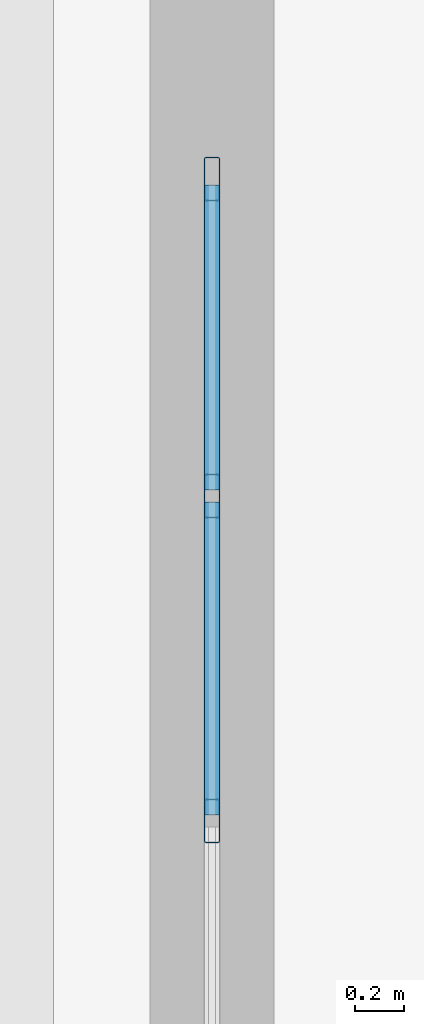
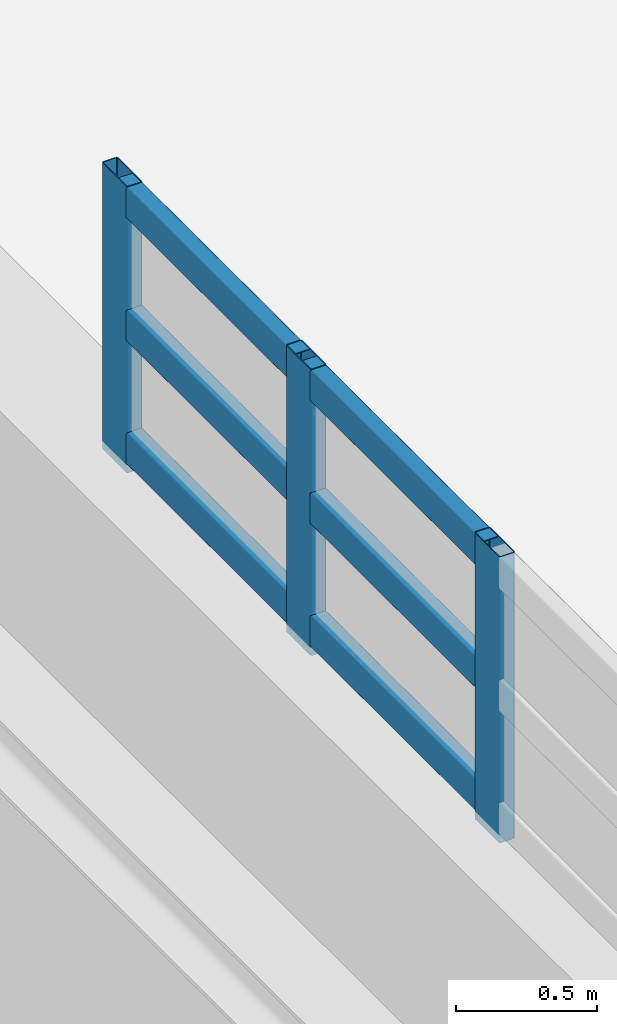
# One storey, part 106 of 197: 9 members, 1 element without a shape of its own.
"""IFC4 building model written with IfcOpenShell, lengths in metres."""

from ifc_helpers import new_model, si_unit, derived_unit, direction, frame, origin, origin_2d, place, context, subcontext, project, spatial, hollow_rectangle, extrude, material, layer, layer_set, material_profile, profile_set, type_object, element, aggregate, save


model = new_model("IFC4")

# Units and contexts
model_context = context("Model", 3, precision=1e-05, world=origin(), true_north=direction((0.0, 1.0)))
body_context = subcontext(model_context, "Body", "Model", "MODEL_VIEW")
ifc_project = project(units=[si_unit("LENGTHUNIT", "METRE"), si_unit("AREAUNIT", "SQUARE_METRE"), si_unit("VOLUMEUNIT", "CUBIC_METRE"), si_unit("PLANEANGLEUNIT", "RADIAN"), si_unit("MASSUNIT", "GRAM", prefix="KILO"), derived_unit("THERMALTRANSMITTANCEUNIT", [(si_unit("POWERUNIT", "WATT"), 1), (si_unit("LENGTHUNIT", "METRE"), -2), (si_unit("THERMODYNAMICTEMPERATUREUNIT", "KELVIN"), -1)])], contexts=[model_context])

# Site, building, storey
site_placement = place(None, origin())
site = spatial("IfcSite", under=ifc_project, at=site_placement, CompositionType="ELEMENT")
building_placement = place(site_placement, origin())
building = spatial("IfcBuilding", under=site, at=building_placement, Name="Almenara Railside Exhibition Hall", CompositionType="ELEMENT")
storey_placement = place(building_placement, frame((0.0, 0.0, 5.39990234375)))
storey = spatial("IfcBuildingStorey", under=building, at=storey_placement, Name="L01", CompositionType="ELEMENT", Elevation=5.39990234375)

# Curtain wall, members
ifc_material_1 = material(Name="Bronze-anodised aluminium and low-E double glazing", Category="aluminium")
ifc_layer = layer(ifc_material_1, 0.179931640625, Name="Bronze-anodised aluminium and low-E double glazing")
ifc_layer_set = layer_set([ifc_layer], Name="Bronze-anodised aluminium and low-E double glazing")
curtain_wall_type = type_object("IfcCurtainWallType", Name="East Hall Clerestory Curtain Wall 4000x2100", PredefinedType="NOTDEFINED", material=ifc_layer_set)
curtain_wall_placement = place(storey_placement, origin())
curtain_wall = element("IfcCurtainWall", 1, at=curtain_wall_placement, inside=storey, type_object=curtain_wall_type, Name="Curtain wall CW-CL4-056", PredefinedType="NOTDEFINED")
ifc_material_2 = material(Name="Bronze-anodised aluminium", Category="aluminium")
ifc_material_profile_1 = material_profile(ifc_material_2, hollow_rectangle(XDim=0.06494140625, YDim=0.179931640625, WallThickness=0.00390625, InnerFilletRadius=0.00390625, OuterFilletRadius=0.008056640625, at=origin_2d()), Name="ALU-MUL 65x180x4")
ifc_profile_set_1 = profile_set([ifc_material_profile_1], Name="Bronze-anodised aluminium")
member_type_1 = type_object("IfcMemberType", Name="Curtain Wall Mullion 65x180x4", PredefinedType="MULLION", material=ifc_profile_set_1)
member_1_placement = place(storey_placement, frame((138.0, 57.13330078125, 5.4150390625), z_axis=(0.0, 0.0, 1.0), x_axis=(-1.0, 0.0, 0.0)))
member_1 = element("IfcMember", 2, at=member_1_placement, type_object=member_type_1, Name="CW-CL4-056 mullion 2", PredefinedType="MULLION", context=body_context, shape_type="SweptSolid", body=[
    extrude(hollow_rectangle(XDim=0.06494140625, YDim=0.179931640625, WallThickness=0.00390625, InnerFilletRadius=0.00390625, OuterFilletRadius=0.008056640625, at=origin_2d()), origin(), (0.0, 0.0, 1.0), 1.235107421875),
])
member_2_placement = place(storey_placement, frame((138.0, 58.466552734375, 5.4150390625), z_axis=(0.0, 0.0, 1.0), x_axis=(-1.0, 0.0, 0.0)))
member_2 = element("IfcMember", 3, at=member_2_placement, type_object=member_type_1, Name="CW-CL4-056 mullion 3", PredefinedType="MULLION", context=body_context, shape_type="SweptSolid", body=[
    extrude(hollow_rectangle(XDim=0.06494140625, YDim=0.179931640625, WallThickness=0.00390625, InnerFilletRadius=0.00390625, OuterFilletRadius=0.008056640625, at=origin_2d()), origin(), (0.0, 0.0, 1.0), 1.235107421875),
])
member_3_placement = place(storey_placement, frame((138.0, 59.767578125, 5.4150390625), z_axis=(0.0, 0.0, 1.0), x_axis=(-1.0, 0.0, 0.0)))
member_3 = element("IfcMember", 4, at=member_3_placement, type_object=member_type_1, Name="CW-CL4-056 mullion 4", PredefinedType="MULLION", context=body_context, shape_type="SweptSolid", body=[
    extrude(hollow_rectangle(XDim=0.06494140625, YDim=0.179931640625, WallThickness=0.00390625, InnerFilletRadius=0.00390625, OuterFilletRadius=0.008056640625, at=origin_2d()), origin(), (0.0, 0.0, 1.0), 1.235107421875),
])
ifc_material_profile_2 = material_profile(ifc_material_2, hollow_rectangle(XDim=0.06494140625, YDim=0.139892578125, WallThickness=0.00341796875, InnerFilletRadius=0.00341796875, OuterFilletRadius=0.007080078125, at=origin_2d()), Name="ALU-TRN 65x140x3.5")
ifc_profile_set_2 = profile_set([ifc_material_profile_2], Name="Bronze-anodised aluminium")
member_type_2 = type_object("IfcMemberType", Name="Curtain Wall Transom 65x140x3.5", PredefinedType="USERDEFINED", material=ifc_profile_set_2)
member_4_placement = place(storey_placement, frame((138.0, 57.15771484375, 5.52001953125), z_axis=(0.0, 1.0, 0.0), x_axis=(-1.0, 0.0, 0.0)))
member_4 = element("IfcMember", 5, at=member_4_placement, type_object=member_type_2, Name="CW-CL4-056 transom 2.1", ObjectType="TRANSOM", PredefinedType="USERDEFINED", context=body_context, shape_type="SweptSolid", body=[
    extrude(hollow_rectangle(XDim=0.06494140625, YDim=0.139892578125, WallThickness=0.00341796875, InnerFilletRadius=0.00341796875, OuterFilletRadius=0.007080078125, at=origin_2d()), origin(), (0.0, 0.0, 1.0), 1.284423828125),
])
member_5_placement = place(storey_placement, frame((138.0, 57.15771484375, 6.050048828125), z_axis=(0.0, 1.0, 0.0), x_axis=(-1.0, 0.0, 0.0)))
member_5 = element("IfcMember", 6, at=member_5_placement, type_object=member_type_2, Name="CW-CL4-056 transom 2.2", ObjectType="TRANSOM", PredefinedType="USERDEFINED", context=body_context, shape_type="SweptSolid", body=[
    extrude(hollow_rectangle(XDim=0.06494140625, YDim=0.139892578125, WallThickness=0.00341796875, InnerFilletRadius=0.00341796875, OuterFilletRadius=0.007080078125, at=origin_2d()), origin(), (0.0, 0.0, 1.0), 1.284423828125),
])
member_6_placement = place(storey_placement, frame((138.0, 57.15771484375, 6.580078125), z_axis=(0.0, 1.0, 0.0), x_axis=(-1.0, 0.0, 0.0)))
member_6 = element("IfcMember", 7, at=member_6_placement, type_object=member_type_2, Name="CW-CL4-056 transom 2.3", ObjectType="TRANSOM", PredefinedType="USERDEFINED", context=body_context, shape_type="SweptSolid", body=[
    extrude(hollow_rectangle(XDim=0.06494140625, YDim=0.139892578125, WallThickness=0.00341796875, InnerFilletRadius=0.00341796875, OuterFilletRadius=0.007080078125, at=origin_2d()), origin(), (0.0, 0.0, 1.0), 1.284423828125),
])
member_7_placement = place(storey_placement, frame((138.0, 58.4912109375, 5.52001953125), z_axis=(0.0, 1.0, 0.0), x_axis=(-1.0, 0.0, 0.0)))
member_7 = element("IfcMember", 8, at=member_7_placement, type_object=member_type_2, Name="CW-CL4-056 transom 3.1", ObjectType="TRANSOM", PredefinedType="USERDEFINED", context=body_context, shape_type="SweptSolid", body=[
    extrude(hollow_rectangle(XDim=0.06494140625, YDim=0.139892578125, WallThickness=0.00341796875, InnerFilletRadius=0.00341796875, OuterFilletRadius=0.007080078125, at=origin_2d()), origin(), (0.0, 0.0, 1.0), 1.251708984375),
])
member_8_placement = place(storey_placement, frame((138.0, 58.4912109375, 6.050048828125), z_axis=(0.0, 1.0, 0.0), x_axis=(-1.0, 0.0, 0.0)))
member_8 = element("IfcMember", 9, at=member_8_placement, type_object=member_type_2, Name="CW-CL4-056 transom 3.2", ObjectType="TRANSOM", PredefinedType="USERDEFINED", context=body_context, shape_type="SweptSolid", body=[
    extrude(hollow_rectangle(XDim=0.06494140625, YDim=0.139892578125, WallThickness=0.00341796875, InnerFilletRadius=0.00341796875, OuterFilletRadius=0.007080078125, at=origin_2d()), origin(), (0.0, 0.0, 1.0), 1.251708984375),
])
member_9_placement = place(storey_placement, frame((138.0, 58.4912109375, 6.580078125), z_axis=(0.0, 1.0, 0.0), x_axis=(-1.0, 0.0, 0.0)))
member_9 = element("IfcMember", 10, at=member_9_placement, type_object=member_type_2, Name="CW-CL4-056 transom 3.3", ObjectType="TRANSOM", PredefinedType="USERDEFINED", context=body_context, shape_type="SweptSolid", body=[
    extrude(hollow_rectangle(XDim=0.06494140625, YDim=0.139892578125, WallThickness=0.00341796875, InnerFilletRadius=0.00341796875, OuterFilletRadius=0.007080078125, at=origin_2d()), origin(), (0.0, 0.0, 1.0), 1.251708984375),
])
aggregate(curtain_wall, [member_1, member_2, member_3, member_4, member_5, member_6, member_7, member_8, member_9])

save(model, "model.ifc")
